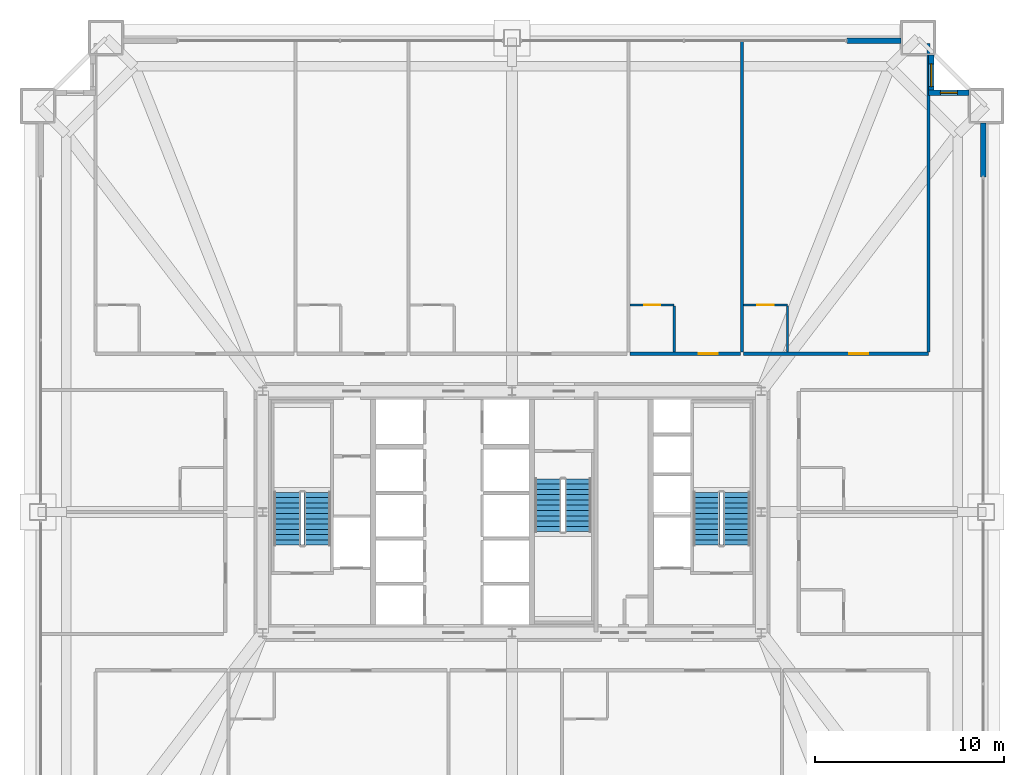
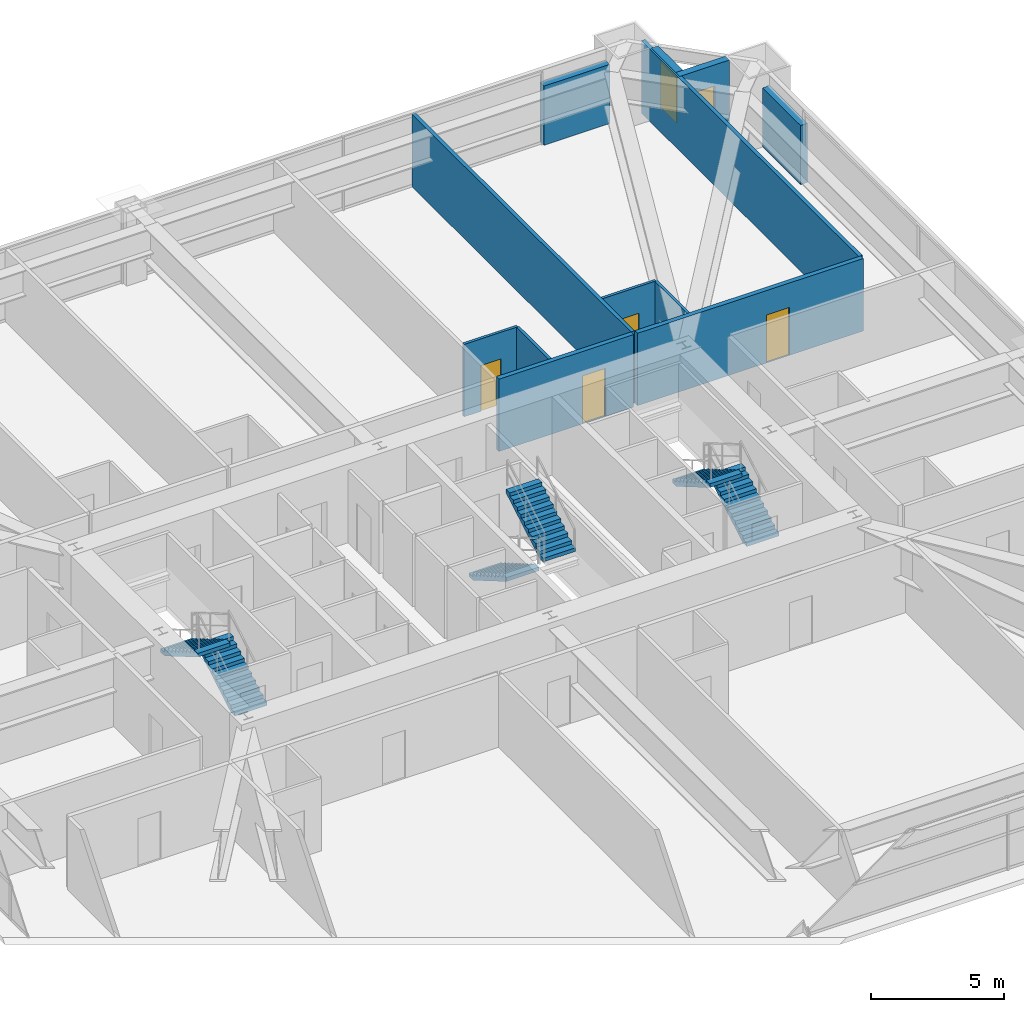
# One storey, part 43 of 44: 12 walls, 6 stair flights, 4 doors, 2 windows, 6 openings, 3 elements without a shape of their own.
"""IFC4 building model written with IfcOpenShell, lengths in metres."""

from ifc_helpers import new_model, si_unit, direction, frame, frame_2d, origin, place, context, subcontext, project, spatial, polyline, rectangle, outline, extrude, source, transform, mapped, material, layer, layer_set, type_object, element, fill, aggregate, save


model = new_model("IFC4")

# Units and contexts
model_context = context("Model", 3, precision=1e-05, world=origin(), true_north=direction((0.0, 1.0)))
body_context = subcontext(model_context, "Body", "Model", "MODEL_VIEW")
ifc_project = project(units=[si_unit("LENGTHUNIT", "METRE"), si_unit("AREAUNIT", "SQUARE_METRE"), si_unit("VOLUMEUNIT", "CUBIC_METRE"), si_unit("PLANEANGLEUNIT", "RADIAN"), si_unit("MASSUNIT", "GRAM", prefix="KILO"), si_unit("THERMODYNAMICTEMPERATUREUNIT", "KELVIN"), si_unit("POWERUNIT", "WATT")], contexts=[model_context])

# Site, building, storey
site_placement = place(None, origin())
site = spatial("IfcSite", under=ifc_project, at=site_placement, CompositionType="ELEMENT")
building_placement = place(site_placement, origin())
building = spatial("IfcBuilding", under=site, at=building_placement, Name="Yuzanri Waterfront Tower", CompositionType="ELEMENT")
storey_placement = place(building_placement, frame((0.0, 0.0, 82.0)))
storey = spatial("IfcBuildingStorey", under=building, at=storey_placement, Name="L21", CompositionType="ELEMENT", Elevation=82.0)

# Wall, opening, door
ifc_material_1 = material(Name="Moisture-Resistant Gypsum Stud Wall", Category="gypsum")
ifc_layer_1 = layer(ifc_material_1, 0.1201171875)
ifc_layer_set_1 = layer_set([ifc_layer_1], Name="Moisture-Resistant Gypsum Stud Wall")
wall_type_1 = type_object("IfcWallType", Name="Bathroom and Kitchen Wet Partition 120", PredefinedType="PARTITIONING", material=ifc_layer_set_1)
wall_1_placement = place(storey_placement, frame((43.257080078125, 36.760009765625, 0.0), z_axis=(0.0, 0.0, 1.0), x_axis=(1.0, 0.0, 0.0)))
wall_1 = element("IfcWall", 1, at=wall_1_placement, inside=storey, type_object=wall_type_1, Name="L21 Partition UW-L21-N4-BN", PredefinedType="PARTITIONING", context=body_context, shape_type="SweptSolid", body=[
    extrude(rectangle(XDim=2.329833984375, YDim=0.1201171875, at=frame_2d((1.1650390625, 0.0))), origin(), (0.0, 0.0, 1.0), 3.320068359375),
])
opening_1_placement = place(wall_1_placement, frame((0.739990234375, 0.0, 0.0)))
opening_1 = element("IfcOpeningElement", 2, at=opening_1_placement, cuts=wall_1, Name="Opening ID-0850", PredefinedType="OPENING", context=body_context, shape_type="SweptSolid", body=[
    extrude(rectangle(XDim=0.85009765625, YDim=2.10009765625, at=frame_2d((0.425048828125, 1.050048828125))), frame((0.0, 0.074951171875, 0.0), z_axis=(0.0, -1.0, 0.0), x_axis=(1.0, 0.0, 0.0)), (0.0, 0.0, 1.0), 0.14990234375),
])
ifc_material_2 = material(Name="Moisture-Resistant Lacquered Timber", Category="wood")
door_type_1 = type_object("IfcDoorType", Name="En-Suite Bathroom and Kitchen Swing Door 850x2100", OperationType="NOTDEFINED", PredefinedType="DOOR", material=ifc_material_2)
shared_shape_1 = source(origin(), body_context, "Body", "SweptSolid", [
    extrude(rectangle(XDim=0.85009765625, YDim=2.10009765625, at=frame_2d((0.425048828125, 1.050048828125))), frame((0.0, 0.02490234375, 0.0), z_axis=(0.0, -1.0, 0.0), x_axis=(1.0, 0.0, 0.0)), (0.0, 0.0, 1.0), 0.050048828125),
])
door_1_placement = place(opening_1_placement, origin())
door_1 = element("IfcDoor", 3, at=door_1_placement, inside=storey, type_object=door_type_1, Name="L21 Guest En-Suite Door", OperationType="SINGLE_SWING_RIGHT", OverallHeight=2.10009765625, OverallWidth=0.85009765625, PredefinedType="DOOR", context=body_context, shape_type="MappedRepresentation", body=[
    mapped(shared_shape_1, transform((0.0, 0.0, 0.0), scale=1.0)),
])
fill(opening_1, door_1)

wall_2_placement = place(storey_placement, frame((49.257080078125, 36.760009765625, 0.0), z_axis=(0.0, 0.0, 1.0), x_axis=(1.0, 0.0, 0.0)))
wall_2 = element("IfcWall", 4, at=wall_2_placement, inside=storey, type_object=wall_type_1, Name="L21 Partition UW-L21-N5-BN", PredefinedType="PARTITIONING", context=body_context, shape_type="SweptSolid", body=[
    extrude(rectangle(XDim=2.329833984375, YDim=0.1201171875, at=frame_2d((1.1650390625, 0.0))), origin(), (0.0, 0.0, 1.0), 3.320068359375),
])
opening_2_placement = place(wall_2_placement, frame((0.739990234375, 0.0, 0.0)))
opening_2 = element("IfcOpeningElement", 5, at=opening_2_placement, cuts=wall_2, Name="Opening ID-0850", PredefinedType="OPENING", context=body_context, shape_type="SweptSolid", body=[
    extrude(rectangle(XDim=0.85009765625, YDim=2.10009765625, at=frame_2d((0.425048828125, 1.050048828125))), frame((0.0, 0.074951171875, 0.0), z_axis=(0.0, -1.0, 0.0), x_axis=(1.0, 0.0, 0.0)), (0.0, 0.0, 1.0), 0.14990234375),
])
door_2_placement = place(opening_2_placement, origin())
door_2 = element("IfcDoor", 6, at=door_2_placement, inside=storey, type_object=door_type_1, Name="L21 Guest En-Suite Door", OperationType="SINGLE_SWING_RIGHT", OverallHeight=2.10009765625, OverallWidth=0.85009765625, PredefinedType="DOOR", context=body_context, shape_type="MappedRepresentation", body=[
    mapped(shared_shape_1, transform((0.0, 0.0, 0.0), scale=1.0)),
])
fill(opening_2, door_2)

# Wall, opening, window
ifc_material_3 = material(Name="Honed Chongqing Dark Basalt Stone", Category="masonry")
ifc_layer_2 = layer(ifc_material_3, 0.300048828125)
ifc_layer_set_2 = layer_set([ifc_layer_2], Name="Honed Chongqing Dark Basalt Stone")
wall_type_2 = type_object("IfcWallType", Name="Bronze Rainscreen Insulated Spandrel Portal Wall 300", PredefinedType="SOLIDWALL", material=ifc_layer_set_2)
wall_3_placement = place(storey_placement, frame((61.199951171875, 48.0, 0.0), z_axis=(0.0, 0.0, 1.0), x_axis=(-1.0, 0.0, 0.0)))
wall_3 = element("IfcWall", 7, at=wall_3_placement, inside=storey, type_object=wall_type_2, Name="L21 Notched Corner Masonry Wall NE-X", PredefinedType="SOLIDWALL", context=body_context, shape_type="SweptSolid", body=[
    extrude(rectangle(XDim=2.14990234375, YDim=0.300048828125, at=frame_2d((1.074951171875, 0.0))), origin(), (0.0, 0.0, 1.0), 3.320068359375),
])
opening_3_placement = place(wall_3_placement, frame((0.625, 0.0, 0.85009765625)))
opening_3 = element("IfcOpeningElement", 8, at=opening_3_placement, cuts=wall_3, Name="Opening WN-05", PredefinedType="OPENING", context=body_context, shape_type="SweptSolid", body=[
    extrude(rectangle(XDim=0.89990234375, YDim=1.5, at=frame_2d((0.449951171875, 0.75))), frame((0.0, 0.1650390625, 0.0), z_axis=(0.0, -1.0, 0.0), x_axis=(1.0, 0.0, 0.0)), (0.0, 0.0, 1.0), 0.329833984375),
])
ifc_material_4 = material(Name="Double-Silver Low-E Insulated Glass", Category="glass")
window_type_1 = type_object("IfcWindowType", Name="Anodized Bronze Service and Stairwell Smoke-Vent Window 900x1500", PartitioningType="SINGLE_PANEL", PredefinedType="WINDOW", material=ifc_material_4)
shared_shape_2 = source(origin(), body_context, "Body", "SweptSolid", [
    extrude(rectangle(XDim=0.89990234375, YDim=1.5, at=frame_2d((0.449951171875, 0.75))), frame((0.0, 0.030029296875, 0.0), z_axis=(0.0, -1.0, 0.0), x_axis=(1.0, 0.0, 0.0)), (0.0, 0.0, 1.0), 0.06005859375),
])
window_1_placement = place(opening_3_placement, origin())
window_1 = element("IfcWindow", 9, at=window_1_placement, inside=storey, type_object=window_type_1, Name="L21 Notched Corner Window NE-X", OverallHeight=1.5, OverallWidth=0.89990234375, PartitioningType="SINGLE_PANEL", PredefinedType="WINDOW", context=body_context, shape_type="MappedRepresentation", body=[
    mapped(shared_shape_2, transform((0.0, 0.0, 0.0), scale=1.0)),
])
fill(opening_3, window_1)

wall_4_placement = place(storey_placement, frame((59.199951171875, 47.85009765625, 0.0), z_axis=(0.0, 0.0, 1.0), x_axis=(0.0, 1.0, 0.0)))
wall_4 = element("IfcWall", 10, at=wall_4_placement, inside=storey, type_object=wall_type_2, Name="L21 Notched Corner Masonry Wall NE-Y", PredefinedType="SOLIDWALL", context=body_context, shape_type="SweptSolid", body=[
    extrude(rectangle(XDim=2.14990234375, YDim=0.300048828125, at=frame_2d((1.074951171875, 0.0))), origin(), (0.0, 0.0, 1.0), 3.320068359375),
])
opening_4_placement = place(wall_4_placement, frame((0.47509765625, 0.0, 0.85009765625)))
opening_4 = element("IfcOpeningElement", 11, at=opening_4_placement, cuts=wall_4, Name="Opening WN-02", PredefinedType="OPENING", context=body_context, shape_type="SweptSolid", body=[
    extrude(rectangle(XDim=1.199951171875, YDim=2.10009765625, at=frame_2d((0.60009765625, 1.050048828125))), frame((0.0, 0.1650390625, 0.0), z_axis=(0.0, -1.0, 0.0), x_axis=(1.0, 0.0, 0.0)), (0.0, 0.0, 1.0), 0.329833984375),
])
ifc_material_5 = material(Name="Double-Silver Low-E Insulated Glass", Category="glass")
window_type_2 = type_object("IfcWindowType", Name="Anodized Bronze Notched Corner Deep-Set Slot Window 1200x2100", PartitioningType="SINGLE_PANEL", PredefinedType="WINDOW", material=ifc_material_5)
shared_shape_3 = source(origin(), body_context, "Body", "SweptSolid", [
    extrude(rectangle(XDim=1.199951171875, YDim=2.10009765625, at=frame_2d((0.60009765625, 1.050048828125))), frame((0.0, 0.030029296875, 0.0), z_axis=(0.0, -1.0, 0.0), x_axis=(1.0, 0.0, 0.0)), (0.0, 0.0, 1.0), 0.06005859375),
])
window_2_placement = place(opening_4_placement, origin())
window_2 = element("IfcWindow", 12, at=window_2_placement, inside=storey, type_object=window_type_2, Name="L21 Notched Corner Window NE-Y", OverallHeight=2.10009765625, OverallWidth=1.199951171875, PartitioningType="SINGLE_PANEL", PredefinedType="WINDOW", context=body_context, shape_type="MappedRepresentation", body=[
    mapped(shared_shape_3, transform((0.0, 0.0, 0.0), scale=1.0)),
])
fill(opening_4, window_2)

# Wall, opening, door
ifc_material_6 = material(Name="Autoclaved Aerated Concrete Blockwork", Category="masonry")
ifc_layer_3 = layer(ifc_material_6, 0.199951171875)
ifc_layer_set_3 = layer_set([ifc_layer_3], Name="Autoclaved Aerated Concrete Blockwork")
wall_type_3 = type_object("IfcWallType", Name="Corridor and Unit Party Fire Wall 200", PredefinedType="PARTITIONING", material=ifc_layer_set_3)
wall_5_placement = place(storey_placement, frame((43.257080078125, 34.179931640625, 0.0), z_axis=(0.0, 0.0, 1.0), x_axis=(1.0, 0.0, 0.0)))
wall_5 = element("IfcWall", 13, at=wall_5_placement, inside=storey, type_object=wall_type_3, Name="L21 Partition UW-L21-N4-CS", PredefinedType="PARTITIONING", context=body_context, shape_type="SweptSolid", body=[
    extrude(rectangle(XDim=5.83984375, YDim=0.199951171875, at=frame_2d((2.919921875, 0.0))), origin(), (0.0, 0.0, 1.0), 3.320068359375),
])
opening_5_placement = place(wall_5_placement, frame((3.625, 0.0, 0.0)))
opening_5 = element("IfcOpeningElement", 14, at=opening_5_placement, cuts=wall_5, Name="Opening FD-1000", PredefinedType="OPENING", context=body_context, shape_type="SweptSolid", body=[
    extrude(rectangle(XDim=1.0, YDim=2.199951171875, at=frame_2d((0.5, 1.10009765625))), frame((0.0, 0.11474609375, 0.0), z_axis=(0.0, -1.0, 0.0), x_axis=(1.0, 0.0, 0.0)), (0.0, 0.0, 1.0), 0.229736328125),
])
ifc_material_7 = material(Name="Engineered Oak Fire-Rated Timber", Category="wood")
door_type_2 = type_object("IfcDoorType", Name="Guestroom and Apartment Entrance Fire Door 1000x2200", OperationType="NOTDEFINED", PredefinedType="DOOR", material=ifc_material_7)
shared_shape_4 = source(origin(), body_context, "Body", "SweptSolid", [
    extrude(rectangle(XDim=1.0, YDim=2.199951171875, at=frame_2d((0.5, 1.10009765625))), frame((0.0, 0.02490234375, 0.0), z_axis=(0.0, -1.0, 0.0), x_axis=(1.0, 0.0, 0.0)), (0.0, 0.0, 1.0), 0.050048828125),
])
door_3_placement = place(opening_5_placement, origin())
door_3 = element("IfcDoor", 15, at=door_3_placement, inside=storey, type_object=door_type_2, Name="L21 Deluxe Junior Suite Entrance Door", OperationType="SINGLE_SWING_LEFT", OverallHeight=2.199951171875, OverallWidth=1.0, PredefinedType="DOOR", context=body_context, shape_type="MappedRepresentation", body=[
    mapped(shared_shape_4, transform((0.0, 0.0, 0.0), scale=1.0)),
])
fill(opening_5, door_3)

wall_6_placement = place(storey_placement, frame((49.257080078125, 34.179931640625, 0.0), z_axis=(0.0, 0.0, 1.0), x_axis=(1.0, 0.0, 0.0)))
wall_6 = element("IfcWall", 16, at=wall_6_placement, inside=storey, type_object=wall_type_3, Name="L21 Partition UW-L21-N5-CS", PredefinedType="PARTITIONING", context=body_context, shape_type="SweptSolid", body=[
    extrude(rectangle(XDim=9.802978515625, YDim=0.199951171875, at=frame_2d((4.9013671875, 0.0))), origin(), (0.0, 0.0, 1.0), 3.320068359375),
])
opening_6_placement = place(wall_6_placement, frame((5.60693359375, 0.0, 0.0)))
opening_6 = element("IfcOpeningElement", 17, at=opening_6_placement, cuts=wall_6, Name="Opening FD-1000", PredefinedType="OPENING", context=body_context, shape_type="SweptSolid", body=[
    extrude(rectangle(XDim=1.0, YDim=2.199951171875, at=frame_2d((0.5, 1.10009765625))), frame((0.0, 0.11474609375, 0.0), z_axis=(0.0, -1.0, 0.0), x_axis=(1.0, 0.0, 0.0)), (0.0, 0.0, 1.0), 0.229736328125),
])
door_4_placement = place(opening_6_placement, origin())
door_4 = element("IfcDoor", 18, at=door_4_placement, inside=storey, type_object=door_type_2, Name="L21 Deluxe Junior Suite Entrance Door", OperationType="SINGLE_SWING_LEFT", OverallHeight=2.199951171875, OverallWidth=1.0, PredefinedType="DOOR", context=body_context, shape_type="MappedRepresentation", body=[
    mapped(shared_shape_4, transform((0.0, 0.0, 0.0), scale=1.0)),
])
fill(opening_6, door_4)

# Walls
shared_shape_5 = source(origin(), body_context, "Body", "SweptSolid", [
    extrude(rectangle(XDim=2.85009765625, YDim=0.300048828125, at=frame_2d((1.425048828125, 0.0))), origin(), (0.0, 0.0, 1.0), 2.715087890625),
])
wall_7_placement = place(storey_placement, frame((54.75, 50.75, 0.0), z_axis=(0.0, 0.0, 1.0), x_axis=(1.0, 0.0, 0.0)))
element("IfcWall", 19, at=wall_7_placement, inside=storey, type_object=wall_type_2, Name="L21 N Right Braced Masonry Shoulder", PredefinedType="SOLIDWALL", context=body_context, shape_type="MappedRepresentation", body=[
    mapped(shared_shape_5, transform((0.0, 0.0, 0.0), scale=1.0)),
])
shared_shape_6 = source(origin(), body_context, "Body", "SweptSolid", [
    extrude(rectangle(XDim=2.849853515625, YDim=0.300048828125, at=frame_2d((1.4248046875, 0.0))), origin(), (0.0, 0.0, 1.0), 2.715087890625),
])
wall_8_placement = place(storey_placement, frame((61.949951171875, 43.550048828125, 0.0), z_axis=(0.0, 0.0, 1.0), x_axis=(0.0, 1.0, 0.0)))
element("IfcWall", 20, at=wall_8_placement, inside=storey, type_object=wall_type_2, Name="L21 E Right Braced Masonry Shoulder", PredefinedType="SOLIDWALL", context=body_context, shape_type="MappedRepresentation", body=[
    mapped(shared_shape_6, transform((0.0, 0.0, 0.0), scale=1.0)),
])
ifc_material_8 = material(Name="Gypsum Fireboard Acoustic Stud Wall", Category="gypsum")
ifc_layer_4 = layer(ifc_material_8, 0.159912109375)
ifc_layer_set_4 = layer_set([ifc_layer_4], Name="Gypsum Fireboard Acoustic Stud Wall")
wall_type_4 = type_object("IfcWallType", Name="Acoustic Suite Demising Partition 160", PredefinedType="PARTITIONING", material=ifc_layer_set_4)
shared_shape_7 = source(origin(), body_context, "Body", "SweptSolid", [
    extrude(rectangle(XDim=16.469970703125, YDim=0.159912109375, at=frame_2d((8.23486328125, 0.0))), origin(), (0.0, 0.0, 1.0), 3.320068359375),
])
wall_9_placement = place(storey_placement, frame((49.177001953125, 34.280029296875, 0.0), z_axis=(0.0, 0.0, 1.0), x_axis=(0.0, 1.0, 0.0)))
element("IfcWall", 21, at=wall_9_placement, inside=storey, type_object=wall_type_4, Name="L21-N4 Party Wall", PredefinedType="PARTITIONING", context=body_context, shape_type="MappedRepresentation", body=[
    mapped(shared_shape_7, transform((0.0, 0.0, 0.0), scale=1.0)),
])
shared_shape_8 = source(origin(), body_context, "Body", "SweptSolid", [
    extrude(rectangle(XDim=16.320068359375, YDim=0.159912109375, at=frame_2d((8.16015625, 0.0))), origin(), (0.0, 0.0, 1.0), 3.320068359375),
])
wall_10_placement = place(storey_placement, frame((59.050048828125, 34.280029296875, 0.0), z_axis=(0.0, 0.0, 1.0), x_axis=(0.0, 1.0, 0.0)))
element("IfcWall", 22, at=wall_10_placement, inside=storey, type_object=wall_type_4, Name="L21 North Band East End Wall", PredefinedType="PARTITIONING", context=body_context, shape_type="MappedRepresentation", body=[
    mapped(shared_shape_8, transform((0.0, 0.0, 0.0), scale=1.0)),
])
shared_shape_9 = source(origin(), body_context, "Body", "SweptSolid", [
    extrude(rectangle(XDim=2.419921875, YDim=0.1201171875, at=frame_2d((1.2099609375, 0.0))), origin(), (0.0, 0.0, 1.0), 3.320068359375),
])
for number, where, z_axis, x_axis, name in (
    (23, (45.5869140625, 34.280029296875, 0.0), (0.0, 0.0, 1.0), (0.0, 1.0, 0.0), "L21-N4 En-Suite Side Wall"),
    (24, (51.5869140625, 34.280029296875, 0.0), (0.0, 0.0, 1.0), (0.0, 1.0, 0.0), "L21-N5 En-Suite Side Wall"),
):
    element("IfcWall", number, at=place(storey_placement, frame(where, z_axis=z_axis, x_axis=x_axis)), inside=storey, type_object=wall_type_1, Name=name, PredefinedType="PARTITIONING", context=body_context, shape_type="MappedRepresentation", body=[
        mapped(shared_shape_9, transform((0.0, 0.0, 0.0), scale=1.0)),
    ])

# Stair, stair flights
ifc_material_9 = material(Name="Concrete C40", Category="concrete")
stair_type = type_object("IfcStairType", Name="Concrete C40 Core Dogleg Exit Stair", PredefinedType="HALF_TURN_STAIR", material=ifc_material_9)
stair_1_placement = place(storey_placement, origin())
stair_1 = element("IfcStair", 25, at=stair_1_placement, inside=storey, type_object=stair_type, Name="L21 Smoke-Proof Core Stair ST-01", PredefinedType="HALF_TURN_STAIR")
ifc_material_10 = material(Name="Concrete C40", Category="concrete")
stair_flight_type = type_object("IfcStairFlightType", Name="Concrete C40 Precast Stair Flight 1380", PredefinedType="STRAIGHT", material=ifc_material_10)
shared_shape_10 = source(origin(), body_context, "Body", "SweptSolid", [
    extrude(outline(polyline([(0.0, 0.0), (0.0, 0.16357421875), (0.280029296875, 0.16357421875), (0.280029296875, 0.327392578125), (0.56005859375, 0.327392578125), (0.56005859375, 0.490966796875), (0.840087890625, 0.490966796875), (0.840087890625, 0.654541015625), (1.1201171875, 0.654541015625), (1.1201171875, 0.818115234375), (1.39990234375, 0.818115234375), (1.39990234375, 0.98193359375), (1.679931640625, 0.98193359375), (1.679931640625, 1.1455078125), (1.9599609375, 1.1455078125), (1.9599609375, 1.30908203125), (2.239990234375, 1.30908203125), (2.239990234375, 1.47265625), (2.52001953125, 1.47265625), (2.52001953125, 1.636474609375), (2.800048828125, 1.636474609375), (2.800048828125, 1.800048828125), (2.800048828125, 1.462646484375), (0.297119140625, 0.0), (0.0, 0.0)])), frame((0.0, 0.699951171875, 0.0), z_axis=(0.0, -1.0, 0.0), x_axis=(1.0, 0.0, 0.0)), (0.0, 0.0, 1.0), 1.39990234375),
])
stair_flight_1_placement = place(storey_placement, frame((26.699951171875, 24.0400390625, 0.0), z_axis=(0.0, 0.0, 1.0), x_axis=(0.0, 1.0, 0.0)))
stair_flight_1 = element("IfcStairFlight", 26, at=stair_flight_1_placement, type_object=stair_flight_type, Name="ST-01 flight 1", NumberOfRisers=11, NumberOfTreads=10, PredefinedType="STRAIGHT", RiserHeight=0.163636364, TreadLength=0.28, context=body_context, shape_type="MappedRepresentation", body=[
    mapped(shared_shape_10, transform((0.0, 0.0, 0.0), scale=1.0)),
])
stair_flight_2_placement = place(storey_placement, frame((25.10009765625, 26.840087890625, 1.800048828125), z_axis=(0.0, 0.0, 1.0), x_axis=(0.0, -1.0, 0.0)))
stair_flight_2 = element("IfcStairFlight", 27, at=stair_flight_2_placement, type_object=stair_flight_type, Name="ST-01 flight 2", NumberOfRisers=11, NumberOfTreads=10, PredefinedType="STRAIGHT", RiserHeight=0.163636364, TreadLength=0.28, context=body_context, shape_type="MappedRepresentation", body=[
    mapped(shared_shape_10, transform((0.0, 0.0, 0.0), scale=1.0)),
])
aggregate(stair_1, [stair_flight_1, stair_flight_2])

stair_2_placement = place(storey_placement, origin())
stair_2 = element("IfcStair", 28, at=stair_2_placement, inside=storey, type_object=stair_type, Name="L21 Smoke-Proof Core Stair ST-02", PredefinedType="HALF_TURN_STAIR")
stair_flight_3_placement = place(storey_placement, frame((48.89990234375, 24.0400390625, 0.0), z_axis=(0.0, 0.0, 1.0), x_axis=(0.0, 1.0, 0.0)))
stair_flight_3 = element("IfcStairFlight", 29, at=stair_flight_3_placement, type_object=stair_flight_type, Name="ST-02 flight 1", NumberOfRisers=11, NumberOfTreads=10, PredefinedType="STRAIGHT", RiserHeight=0.163636364, TreadLength=0.28, context=body_context, shape_type="MappedRepresentation", body=[
    mapped(shared_shape_10, transform((0.0, 0.0, 0.0), scale=1.0)),
])
stair_flight_4_placement = place(storey_placement, frame((47.300048828125, 26.840087890625, 1.800048828125), z_axis=(0.0, 0.0, 1.0), x_axis=(0.0, -1.0, 0.0)))
stair_flight_4 = element("IfcStairFlight", 30, at=stair_flight_4_placement, type_object=stair_flight_type, Name="ST-02 flight 2", NumberOfRisers=11, NumberOfTreads=10, PredefinedType="STRAIGHT", RiserHeight=0.163636364, TreadLength=0.28, context=body_context, shape_type="MappedRepresentation", body=[
    mapped(shared_shape_10, transform((0.0, 0.0, 0.0), scale=1.0)),
])
aggregate(stair_2, [stair_flight_3, stair_flight_4])

stair_3_placement = place(storey_placement, origin())
stair_3 = element("IfcStair", 31, at=stair_3_placement, inside=storey, type_object=stair_type, Name="L21 Smoke-Proof Core Stair ST-03", PredefinedType="HALF_TURN_STAIR")
stair_flight_5_placement = place(storey_placement, frame((38.89990234375, 27.56005859375, 0.0), z_axis=(0.0, 0.0, 1.0), x_axis=(0.0, -1.0, 0.0)))
stair_flight_5 = element("IfcStairFlight", 32, at=stair_flight_5_placement, type_object=stair_flight_type, Name="ST-03 flight 1", NumberOfRisers=11, NumberOfTreads=10, PredefinedType="STRAIGHT", RiserHeight=0.163636364, TreadLength=0.28, context=body_context, shape_type="MappedRepresentation", body=[
    mapped(shared_shape_10, transform((0.0, 0.0, 0.0), scale=1.0)),
])
stair_flight_6_placement = place(storey_placement, frame((40.5, 24.760009765625, 1.800048828125), z_axis=(0.0, 0.0, 1.0), x_axis=(0.0, 1.0, 0.0)))
stair_flight_6 = element("IfcStairFlight", 33, at=stair_flight_6_placement, type_object=stair_flight_type, Name="ST-03 flight 2", NumberOfRisers=11, NumberOfTreads=10, PredefinedType="STRAIGHT", RiserHeight=0.163636364, TreadLength=0.28, context=body_context, shape_type="MappedRepresentation", body=[
    mapped(shared_shape_10, transform((0.0, 0.0, 0.0), scale=1.0)),
])
aggregate(stair_3, [stair_flight_5, stair_flight_6])

save(model, "model.ifc")
